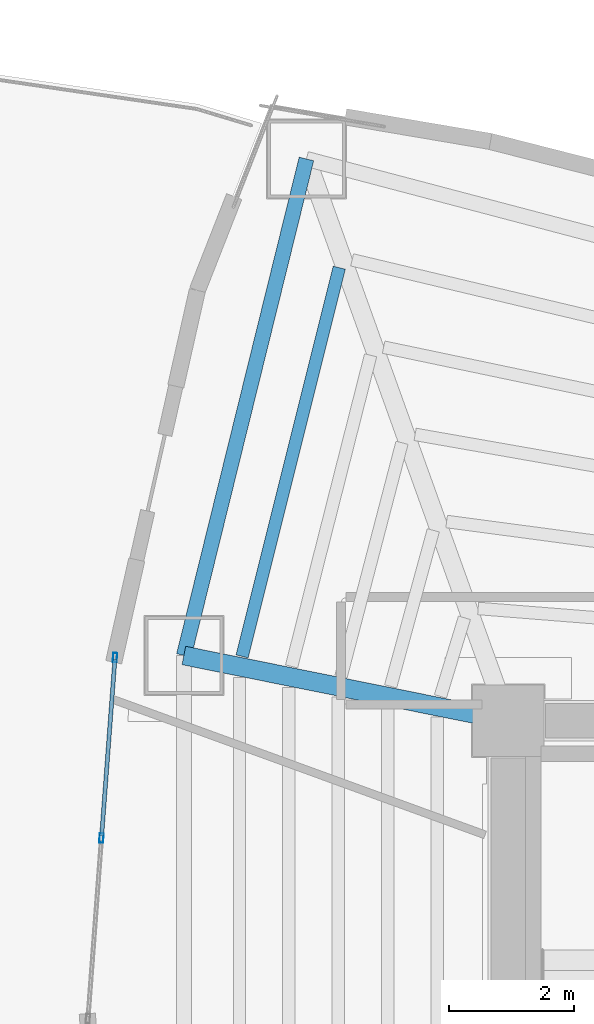
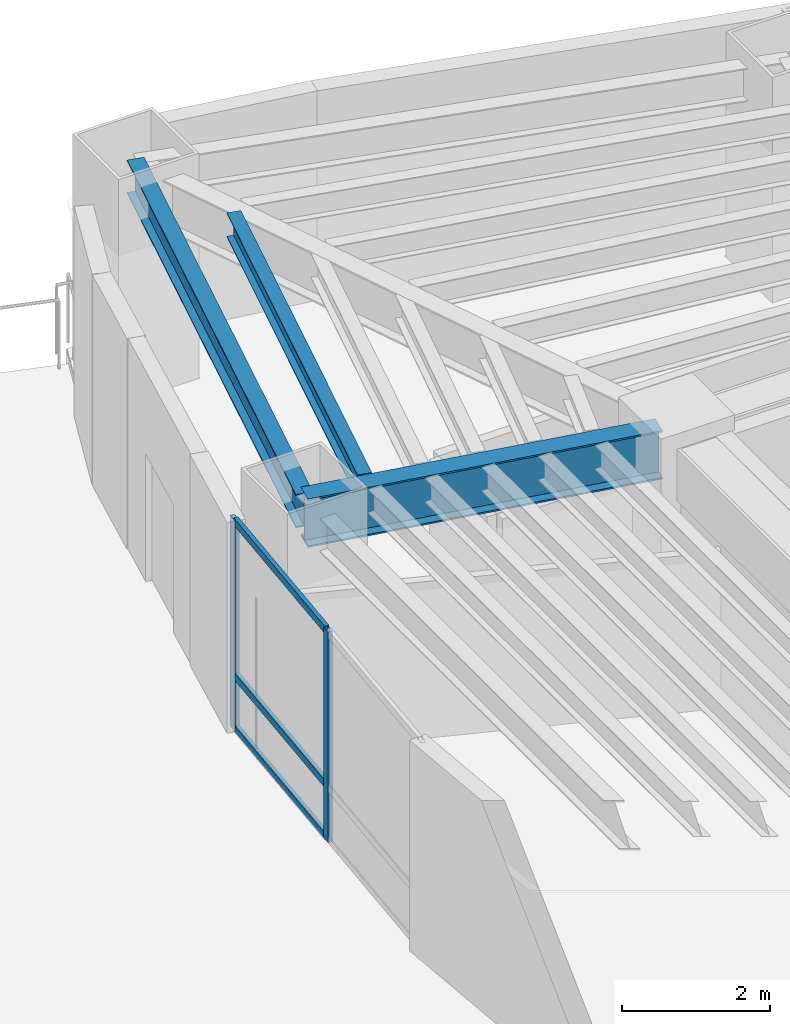
# One storey, part 7 of 19: 5 members, 3 beams, 1 element without a shape of its own.
"""IFC4 building model written with IfcOpenShell, lengths in metres."""

from ifc_helpers import new_model, si_unit, direction, frame, origin, origin_2d, place, context, subcontext, project, spatial, hollow_rectangle, i_section, extrude, material, layer, layer_set, material_profile, profile_set, type_object, element, aggregate, save


model = new_model("IFC4")

# Units and contexts
model_context = context("Model", 3, precision=1e-05, world=origin(), true_north=direction((0.0, 1.0)))
body_context = subcontext(model_context, "Body", "Model", "MODEL_VIEW")
ifc_project = project(units=[si_unit("LENGTHUNIT", "METRE"), si_unit("AREAUNIT", "SQUARE_METRE"), si_unit("VOLUMEUNIT", "CUBIC_METRE"), si_unit("PLANEANGLEUNIT", "RADIAN"), si_unit("MASSUNIT", "GRAM", prefix="KILO")], contexts=[model_context])

# Site, building, storey
site_placement = place(None, origin())
site = spatial("IfcSite", under=ifc_project, at=site_placement, CompositionType="ELEMENT")
building_placement = place(site_placement, origin())
building = spatial("IfcBuilding", under=site, at=building_placement, Name="Menara Vayukalpa", CompositionType="ELEMENT")
storey_placement = place(building_placement, frame((0.0, 0.0, 118.860107421875)))
storey = spatial("IfcBuildingStorey", under=building, at=storey_placement, Name="L29", CompositionType="ELEMENT", Elevation=118.860107421875)

# Beams
ifc_material_1 = material(Name="Steel S355", Category="steel")
ifc_material_profile_1 = material_profile(ifc_material_1, i_section(OverallWidth=0.300048828125, OverallDepth=0.800048828125, WebThickness=0.013916015625, FlangeThickness=0.02587890625, at=origin_2d()), Name="WF 800x300x14x26")
ifc_profile_set_1 = profile_set([ifc_material_profile_1], Name="Steel S355")
beam_type_1 = type_object("IfcBeamType", Name="BM-PG3", PredefinedType="BEAM", material=ifc_profile_set_1)
beam_1_placement = place(storey_placement, frame((17.554931640625, 26.849365234375, 3.06982421875), z_axis=(-0.980324984906, 0.197390283373, 0.0), x_axis=(-0.197390283373, -0.980324984906, 0.0)))
element("IfcBeam", 1, at=beam_1_placement, inside=storey, type_object=beam_type_1, Name="L29 Primary Radial Girder RG05", PredefinedType="BEAM", context=body_context, shape_type="SweptSolid", body=[
    extrude(i_section(OverallWidth=0.300048828125, OverallDepth=0.800048828125, WebThickness=0.013916015625, FlangeThickness=0.02587890625, at=origin_2d()), origin(), (0.0, 0.0, 1.0), 5.047607421875),
])
ifc_material_2 = material(Name="Steel S355", Category="steel")
ifc_material_profile_2 = material_profile(ifc_material_2, i_section(OverallWidth=0.199951171875, OverallDepth=0.39990234375, WebThickness=0.008056640625, FlangeThickness=0.012939453125, at=origin_2d()), Name="WF 400x200x8x13")
ifc_profile_set_2 = profile_set([ifc_material_profile_2], Name="Steel S355")
beam_type_2 = type_object("IfcBeamType", Name="BM-SJ2", PredefinedType="JOIST", material=ifc_profile_set_2)
beam_2_placement = place(storey_placement, frame((15.09423828125, 34.055419921875, 3.269775390625), z_axis=(-0.242481900969, -0.970155929582, 0.0), x_axis=(0.970155929582, -0.242481900969, 0.0)))
element("IfcBeam", 2, at=beam_2_placement, inside=storey, type_object=beam_type_2, Name="L29 Secondary Floor Joist SJ04-5", PredefinedType="JOIST", context=body_context, shape_type="SweptSolid", body=[
    extrude(i_section(OverallWidth=0.199951171875, OverallDepth=0.39990234375, WebThickness=0.008056640625, FlangeThickness=0.012939453125, at=origin_2d()), origin(), (0.0, 0.0, 1.0), 6.41552734375),
])
ifc_material_3 = material(Name="Steel S355", Category="steel")
ifc_material_profile_3 = material_profile(ifc_material_3, i_section(OverallWidth=0.239990234375, OverallDepth=0.550048828125, WebThickness=0.010986328125, FlangeThickness=0.01904296875, at=origin_2d()), Name="WF 550x240x11x19")
ifc_profile_set_3 = profile_set([ifc_material_profile_3], Name="Steel S355")
beam_type_3 = type_object("IfcBeamType", Name="BM-SP2", PredefinedType="SPANDREL", material=ifc_profile_set_3)
beam_3_placement = place(storey_placement, frame((14.569091796875, 35.79736328125, 3.19482421875), z_axis=(-0.239602739234, -0.970871014786, 0.0), x_axis=(0.970871014786, -0.239602739234, 0.0)))
element("IfcBeam", 3, at=beam_3_placement, inside=storey, type_object=beam_type_3, Name="L29 Perimeter Spandrel Beam SP04", PredefinedType="SPANDREL", context=body_context, shape_type="SweptSolid", body=[
    extrude(i_section(OverallWidth=0.239990234375, OverallDepth=0.550048828125, WebThickness=0.010986328125, FlangeThickness=0.01904296875, at=origin_2d()), origin(), (0.0, 0.0, 1.0), 8.190185546875),
])

# Curtain wall, members
ifc_material_4 = material(Name="Anodised Terracotta Aluminium Alloy 6063-T6", Category="masonry")
ifc_layer = layer(ifc_material_4, 0.14990234375)
ifc_layer_set = layer_set([ifc_layer], Name="Anodised Terracotta Aluminium Alloy 6063-T6")
curtain_wall_type = type_object("IfcCurtainWallType", Name="CW-CW3", PredefinedType="USERDEFINED", material=ifc_layer_set)
curtain_wall_placement = place(storey_placement, origin())
curtain_wall = element("IfcCurtainWall", 4, at=curtain_wall_placement, inside=storey, type_object=curtain_wall_type, Name="L29 Mid Rise Terracotta Ribbon Curtain Wall CW3 11", ObjectType="UNITISED", PredefinedType="USERDEFINED")
ifc_material_5 = material(Name="Anodised Terracotta Aluminium Alloy 6063-T6", Category="masonry")
ifc_material_profile_4 = material_profile(ifc_material_5, hollow_rectangle(XDim=0.06494140625, YDim=0.14990234375, WallThickness=0.00341796875, at=origin_2d()), Name="ALU 65x150x3.5")
ifc_profile_set_4 = profile_set([ifc_material_profile_4], Name="Anodised Terracotta Aluminium Alloy 6063-T6")
member_type_1 = type_object("IfcMemberType", Name="CWM-CW3", PredefinedType="MULLION", material=ifc_profile_set_4)
member_1_placement = place(storey_placement, frame((11.504150390625, 27.813232421875, 0.0), z_axis=(0.0, 0.0, 1.0), x_axis=(0.997199659745, -0.07478528334, 0.0)))
member_1 = element("IfcMember", 5, at=member_1_placement, type_object=member_type_1, Name="CW3 mullion 1", PredefinedType="MULLION", context=body_context, shape_type="SweptSolid", body=[
    extrude(hollow_rectangle(XDim=0.06494140625, YDim=0.14990234375, WallThickness=0.00341796875, at=origin_2d()), origin(), (0.0, 0.0, 1.0), 3.469970703125),
])
member_2_placement = place(storey_placement, frame((11.287353515625, 24.9228515625, 0.0), z_axis=(0.0, 0.0, 1.0), x_axis=(0.997199659745, -0.07478528334, 0.0)))
member_2 = element("IfcMember", 6, at=member_2_placement, type_object=member_type_1, Name="CW3 mullion 2", PredefinedType="MULLION", context=body_context, shape_type="SweptSolid", body=[
    extrude(hollow_rectangle(XDim=0.06494140625, YDim=0.14990234375, WallThickness=0.00341796875, at=origin_2d()), origin(), (0.0, 0.0, 1.0), 3.469970703125),
])
ifc_material_6 = material(Name="Anodised Terracotta Aluminium Alloy 6063-T6", Category="masonry")
ifc_material_profile_5 = material_profile(ifc_material_6, hollow_rectangle(XDim=0.06494140625, YDim=0.1201171875, WallThickness=0.00341796875, at=origin_2d()), Name="ALU 65x120x3.5")
ifc_profile_set_5 = profile_set([ifc_material_profile_5], Name="Anodised Terracotta Aluminium Alloy 6063-T6")
member_type_2 = type_object("IfcMemberType", Name="CWT-CW3", PredefinedType="USERDEFINED", material=ifc_profile_set_5)
member_3_placement = place(storey_placement, frame((11.501708984375, 27.78076171875, 0.032470703125), z_axis=(-0.074792090342, -0.997199149229, 0.0), x_axis=(0.997199149229, -0.074792090342, 0.0)))
member_3 = element("IfcMember", 7, at=member_3_placement, type_object=member_type_2, Name="CW3 transom 1.1", ObjectType="TRANSOM", PredefinedType="USERDEFINED", context=body_context, shape_type="SweptSolid", body=[
    extrude(hollow_rectangle(XDim=0.06494140625, YDim=0.1201171875, WallThickness=0.00341796875, at=origin_2d()), origin(), (0.0, 0.0, 1.0), 2.83349609375),
])
member_4_placement = place(storey_placement, frame((11.501708984375, 27.78076171875, 0.89990234375), z_axis=(-0.074792090342, -0.997199149229, 0.0), x_axis=(0.997199149229, -0.074792090342, 0.0)))
member_4 = element("IfcMember", 8, at=member_4_placement, type_object=member_type_2, Name="CW3 transom 1.2", ObjectType="TRANSOM", PredefinedType="USERDEFINED", context=body_context, shape_type="SweptSolid", body=[
    extrude(hollow_rectangle(XDim=0.06494140625, YDim=0.1201171875, WallThickness=0.00341796875, at=origin_2d()), origin(), (0.0, 0.0, 1.0), 2.83349609375),
])
member_5_placement = place(storey_placement, frame((11.501708984375, 27.78076171875, 3.4375), z_axis=(-0.074792090342, -0.997199149229, 0.0), x_axis=(0.997199149229, -0.074792090342, 0.0)))
member_5 = element("IfcMember", 9, at=member_5_placement, type_object=member_type_2, Name="CW3 transom 1.3", ObjectType="TRANSOM", PredefinedType="USERDEFINED", context=body_context, shape_type="SweptSolid", body=[
    extrude(hollow_rectangle(XDim=0.06494140625, YDim=0.1201171875, WallThickness=0.00341796875, at=origin_2d()), origin(), (0.0, 0.0, 1.0), 2.83349609375),
])
aggregate(curtain_wall, [member_1, member_2, member_3, member_4, member_5])

save(model, "model.ifc")
